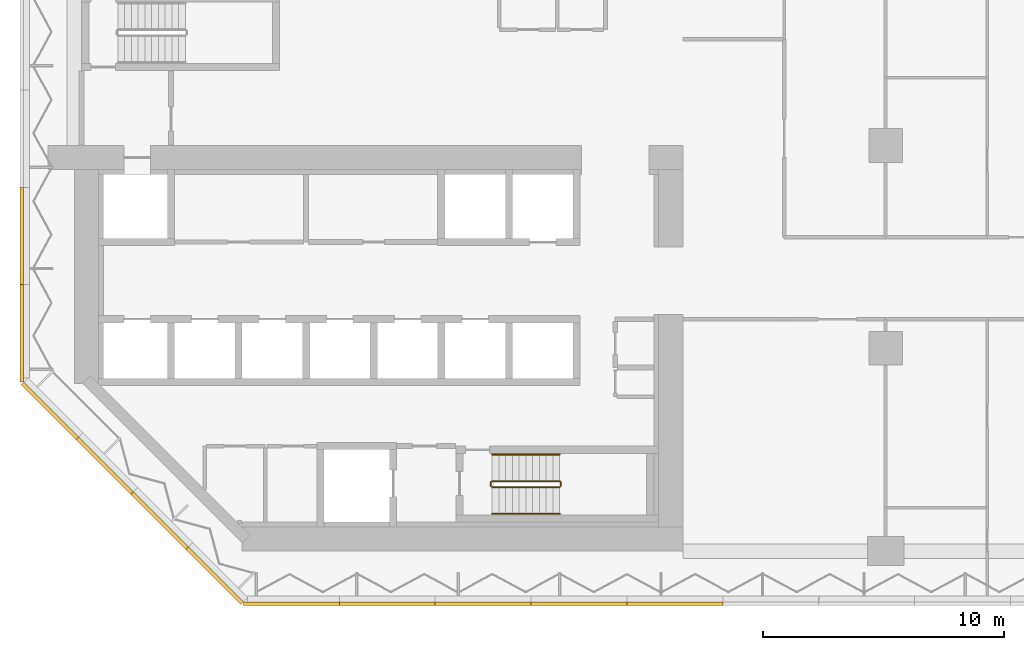
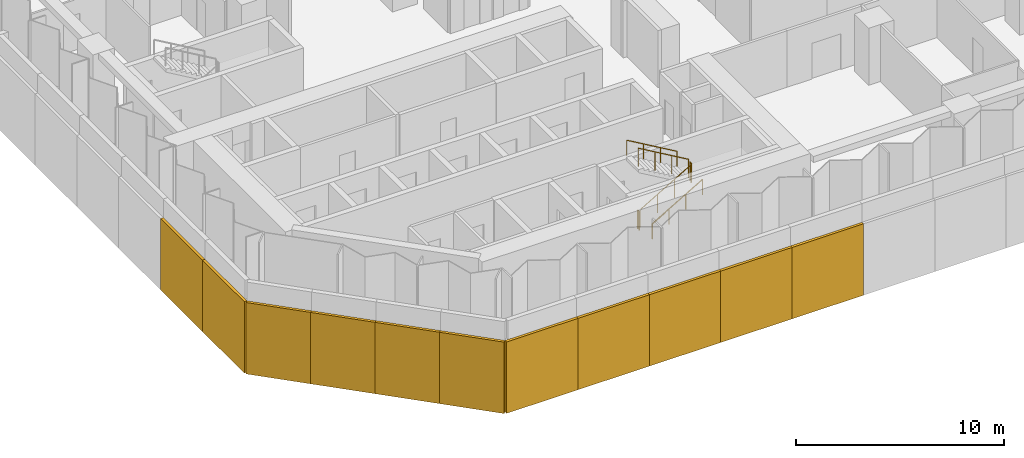
# One storey, part 17 of 24: 11 coverings, 6 railings.
"""IFC4 building model written with IfcOpenShell, lengths in metres."""

from ifc_helpers import new_model, si_unit, direction, frame, origin, origin_2d, place, context, subcontext, project, spatial, polyline, circle, outline, extrude, material, layer, layer_set, type_object, element, save


model = new_model("IFC4")

# Units and contexts
model_context = context("Model", 3, precision=1e-05, world=origin(), true_north=direction((0.0, 1.0)))
body_context = subcontext(model_context, "Body", "Model", "MODEL_VIEW")
ifc_project = project(units=[si_unit("LENGTHUNIT", "METRE"), si_unit("AREAUNIT", "SQUARE_METRE"), si_unit("VOLUMEUNIT", "CUBIC_METRE"), si_unit("PLANEANGLEUNIT", "RADIAN"), si_unit("MASSUNIT", "GRAM", prefix="KILO")], contexts=[model_context])

# Site, building, storey
site_placement = place(None, origin())
site = spatial("IfcSite", under=ifc_project, at=site_placement, CompositionType="ELEMENT")
building_placement = place(site_placement, origin())
building = spatial("IfcBuilding", under=site, at=building_placement, Name="Brevane Broadcast Tower", CompositionType="ELEMENT")
storey_placement = place(building_placement, frame((0.0, 0.0, 36.5)))
storey = spatial("IfcBuildingStorey", under=building, at=storey_placement, Name="L06", CompositionType="ELEMENT", Elevation=36.5)

# Coverings
ifc_material_1 = material(Name="Precast concrete C40/50", Category="concrete")
ifc_layer = layer(ifc_material_1, 0.14990234375)
ifc_layer_set = layer_set([ifc_layer], Name="CORNICE FASCIA CLADDING 4200")
covering_type = type_object("IfcCoveringType", Name="CORNICE FASCIA CLADDING 4200", PredefinedType="CLADDING", material=ifc_layer_set)
covering_1_placement = place(storey_placement, frame((0.0, 0.0, -4.199951171875)))
element("IfcCovering", 1, at=covering_1_placement, inside=storey, type_object=covering_type, Name="Cornice fascia", PredefinedType="CLADDING", context=body_context, shape_type="SweptSolid", body=[
    extrude(outline(polyline([(26.85791015625, -2.10009765625), (22.886962890625, -2.10009765625), (22.886962890625, -2.25), (26.85791015625, -2.25), (26.85791015625, -2.10009765625)])), origin(), (0.0, 0.0, 1.0), 4.199951171875),
])
covering_2_placement = place(storey_placement, frame((0.0, 0.0, -4.199951171875)))
element("IfcCovering", 2, at=covering_2_placement, inside=storey, type_object=covering_type, Name="Cornice fascia", PredefinedType="CLADDING", context=body_context, shape_type="SweptSolid", body=[
    extrude(outline(polyline([(22.886962890625, -2.10009765625), (18.916015625, -2.10009765625), (18.916015625, -2.25), (22.886962890625, -2.25), (22.886962890625, -2.10009765625)])), origin(), (0.0, 0.0, 1.0), 4.199951171875),
])
covering_3_placement = place(storey_placement, frame((0.0, 0.0, -4.199951171875)))
element("IfcCovering", 3, at=covering_3_placement, inside=storey, type_object=covering_type, Name="Cornice fascia", PredefinedType="CLADDING", context=body_context, shape_type="SweptSolid", body=[
    extrude(outline(polyline([(18.916015625, -2.10009765625), (14.945068359375, -2.10009765625), (14.945068359375, -2.25), (18.916015625, -2.25), (18.916015625, -2.10009765625)])), origin(), (0.0, 0.0, 1.0), 4.199951171875),
])
covering_4_placement = place(storey_placement, frame((0.0, 0.0, -4.199951171875)))
element("IfcCovering", 4, at=covering_4_placement, inside=storey, type_object=covering_type, Name="Cornice fascia", PredefinedType="CLADDING", context=body_context, shape_type="SweptSolid", body=[
    extrude(outline(polyline([(14.945068359375, -2.10009765625), (10.97412109375, -2.10009765625), (10.97412109375, -2.25), (14.945068359375, -2.25), (14.945068359375, -2.10009765625)])), origin(), (0.0, 0.0, 1.0), 4.199951171875),
])
covering_5_placement = place(storey_placement, frame((0.0, 0.0, -4.199951171875)))
element("IfcCovering", 5, at=covering_5_placement, inside=storey, type_object=covering_type, Name="Cornice fascia", PredefinedType="CLADDING", context=body_context, shape_type="SweptSolid", body=[
    extrude(outline(polyline([(10.97412109375, -2.10009765625), (7.0029296875, -2.10009765625), (7.0029296875, -2.25), (10.97412109375, -2.25), (10.97412109375, -2.10009765625)])), origin(), (0.0, 0.0, 1.0), 4.199951171875),
])
covering_6_placement = place(storey_placement, frame((0.0, 0.0, -4.199951171875)))
element("IfcCovering", 6, at=covering_6_placement, inside=storey, type_object=covering_type, Name="Cornice fascia", PredefinedType="CLADDING", context=body_context, shape_type="SweptSolid", body=[
    extrude(outline(polyline([(7.0029296875, -2.10009765625), (4.727294921875, 0.17578125), (4.62109375, 0.069580078125), (6.89697265625, -2.2060546875), (7.0029296875, -2.10009765625)])), origin(), (0.0, 0.0, 1.0), 4.199951171875),
])
covering_7_placement = place(storey_placement, frame((0.0, 0.0, -4.199951171875)))
element("IfcCovering", 7, at=covering_7_placement, inside=storey, type_object=covering_type, Name="Cornice fascia", PredefinedType="CLADDING", context=body_context, shape_type="SweptSolid", body=[
    extrude(outline(polyline([(4.727294921875, 0.17578125), (2.451416015625, 2.451416015625), (2.345458984375, 2.345458984375), (4.62109375, 0.069580078125), (4.727294921875, 0.17578125)])), origin(), (0.0, 0.0, 1.0), 4.199951171875),
])
covering_8_placement = place(storey_placement, frame((0.0, 0.0, -4.199951171875)))
element("IfcCovering", 8, at=covering_8_placement, inside=storey, type_object=covering_type, Name="Cornice fascia", PredefinedType="CLADDING", context=body_context, shape_type="SweptSolid", body=[
    extrude(outline(polyline([(2.451416015625, 2.451416015625), (0.17578125, 4.727294921875), (0.069580078125, 4.62109375), (2.345458984375, 2.345458984375), (2.451416015625, 2.451416015625)])), origin(), (0.0, 0.0, 1.0), 4.199951171875),
])
covering_9_placement = place(storey_placement, frame((0.0, 0.0, -4.199951171875)))
element("IfcCovering", 9, at=covering_9_placement, inside=storey, type_object=covering_type, Name="Cornice fascia", PredefinedType="CLADDING", context=body_context, shape_type="SweptSolid", body=[
    extrude(outline(polyline([(0.17578125, 4.727294921875), (-2.10009765625, 7.0029296875), (-2.2060546875, 6.89697265625), (0.069580078125, 4.62109375), (0.17578125, 4.727294921875)])), origin(), (0.0, 0.0, 1.0), 4.199951171875),
])
covering_10_placement = place(storey_placement, frame((0.0, 0.0, -4.199951171875)))
element("IfcCovering", 10, at=covering_10_placement, inside=storey, type_object=covering_type, Name="Cornice fascia", PredefinedType="CLADDING", context=body_context, shape_type="SweptSolid", body=[
    extrude(outline(polyline([(-2.10009765625, 7.0029296875), (-2.10009765625, 11.035888671875), (-2.25, 11.035888671875), (-2.25, 7.0029296875), (-2.10009765625, 7.0029296875)])), origin(), (0.0, 0.0, 1.0), 4.199951171875),
])
covering_11_placement = place(storey_placement, frame((0.0, 0.0, -4.199951171875)))
element("IfcCovering", 11, at=covering_11_placement, inside=storey, type_object=covering_type, Name="Cornice fascia", PredefinedType="CLADDING", context=body_context, shape_type="SweptSolid", body=[
    extrude(outline(polyline([(-2.10009765625, 11.035888671875), (-2.10009765625, 15.068603515625), (-2.25, 15.068603515625), (-2.25, 11.035888671875), (-2.10009765625, 11.035888671875)])), origin(), (0.0, 0.0, 1.0), 4.199951171875),
])

# Railings
ifc_material_2 = material(Name="Steel S355", Category="steel")
railing_type_1 = type_object("IfcRailingType", Name="Exit stair guard", PredefinedType="GUARDRAIL", material=ifc_material_2)
railing_1_placement = place(storey_placement, frame((17.300048828125, 2.64990234375, 0.16357421875)))
element("IfcRailing", 12, at=railing_1_placement, inside=storey, type_object=railing_type_1, Name="L06 ST-2 stair guard 1", PredefinedType="GUARDRAIL", context=body_context, shape_type="SweptSolid", body=[
    extrude(circle(Radius=0.02392578125, at=origin_2d()), frame((0.0, 0.0, 1.076171875), z_axis=(0.863360870873, 0.0, 0.504586966384), x_axis=(0.0, 1.0, 0.0)), (0.0, 0.0, 1.0), 3.2431640625),
    extrude(circle(Radius=0.02099609375, at=origin_2d()), origin(), (0.0, 0.0, 1.0), 1.052001953125),
    extrude(circle(Radius=0.02099609375, at=origin_2d()), frame((0.933349609375, 0.0, 0.54541015625)), (0.0, 0.0, 1.0), 1.052001953125),
    extrude(circle(Radius=0.02099609375, at=origin_2d()), frame((1.86669921875, 0.0, 1.091064453125)), (0.0, 0.0, 1.0), 1.052001953125),
    extrude(circle(Radius=0.02099609375, at=origin_2d()), frame((2.800048828125, 0.0, 1.636474609375)), (0.0, 0.0, 1.0), 1.052001953125),
])
railing_2_placement = place(storey_placement, frame((20.14990234375, 2.699951171875, 1.800048828125)))
element("IfcRailing", 13, at=railing_2_placement, inside=storey, type_object=railing_type_1, Name="L06 ST-2 stair guard 2", PredefinedType="GUARDRAIL", context=body_context, shape_type="SweptSolid", body=[
    extrude(circle(Radius=0.02392578125, at=origin_2d()), frame((0.0, 0.0, 1.076171875), z_axis=(0.0, 1.0, 0.0), x_axis=(-1.0, 0.0, 0.0)), (0.0, 0.0, 1.0), 0.150146484375),
    extrude(circle(Radius=0.02099609375, at=origin_2d()), origin(), (0.0, 0.0, 1.0), 1.052001953125),
    extrude(circle(Radius=0.02099609375, at=origin_2d()), frame((0.0, 0.150146484375, 0.0)), (0.0, 0.0, 1.0), 1.052001953125),
])
railing_3_placement = place(storey_placement, frame((20.10009765625, 2.89990234375, 1.963623046875)))
element("IfcRailing", 14, at=railing_3_placement, inside=storey, type_object=railing_type_1, Name="L06 ST-2 stair guard 3", PredefinedType="GUARDRAIL", context=body_context, shape_type="SweptSolid", body=[
    extrude(circle(Radius=0.02392578125, at=origin_2d()), frame((0.0, 0.0, 1.076171875), z_axis=(-0.863360870873, 0.0, 0.504586966384), x_axis=(0.0, -1.0, 0.0)), (0.0, 0.0, 1.0), 3.2431640625),
    extrude(circle(Radius=0.02099609375, at=origin_2d()), origin(), (0.0, 0.0, 1.0), 1.052001953125),
    extrude(circle(Radius=0.02099609375, at=origin_2d()), frame((-0.933349609375, 0.0, 0.54541015625)), (0.0, 0.0, 1.0), 1.052001953125),
    extrude(circle(Radius=0.02099609375, at=origin_2d()), frame((-1.86669921875, 0.0, 1.091064453125)), (0.0, 0.0, 1.0), 1.052001953125),
    extrude(circle(Radius=0.02099609375, at=origin_2d()), frame((-2.800048828125, 0.0, 1.636474609375)), (0.0, 0.0, 1.0), 1.052001953125),
])
railing_4_placement = place(storey_placement, frame((17.25, 2.699951171875, 0.0)))
element("IfcRailing", 15, at=railing_4_placement, inside=storey, type_object=railing_type_1, Name="L06 ST-2 stair guard 4", PredefinedType="GUARDRAIL", context=body_context, shape_type="SweptSolid", body=[
    extrude(circle(Radius=0.02392578125, at=origin_2d()), frame((0.0, 0.0, 1.076171875), z_axis=(0.0, 1.0, 0.0), x_axis=(-1.0, 0.0, 0.0)), (0.0, 0.0, 1.0), 0.150146484375),
    extrude(circle(Radius=0.02099609375, at=origin_2d()), origin(), (0.0, 0.0, 1.0), 1.052001953125),
    extrude(circle(Radius=0.02099609375, at=origin_2d()), frame((0.0, 0.150146484375, 0.0)), (0.0, 0.0, 1.0), 1.052001953125),
])
railing_type_2 = type_object("IfcRailingType", Name="Exit stair handrail", PredefinedType="HANDRAIL", material=ifc_material_2)
railing_5_placement = place(storey_placement, frame((17.300048828125, 1.550048828125, 0.16357421875)))
element("IfcRailing", 16, at=railing_5_placement, inside=storey, type_object=railing_type_2, Name="L06 ST-2 stair handrail 1", PredefinedType="HANDRAIL", context=body_context, shape_type="SweptSolid", body=[
    extrude(circle(Radius=0.02392578125, at=origin_2d()), frame((0.0, 0.0, 0.8759765625), z_axis=(0.863360870873, 0.0, 0.504586966384), x_axis=(0.0, 1.0, 0.0)), (0.0, 0.0, 1.0), 3.2431640625),
    extrude(circle(Radius=0.02099609375, at=origin_2d()), origin(), (0.0, 0.0, 1.0), 0.851806640625),
    extrude(circle(Radius=0.02099609375, at=origin_2d()), frame((0.933349609375, 0.0, 0.54541015625)), (0.0, 0.0, 1.0), 0.851806640625),
    extrude(circle(Radius=0.02099609375, at=origin_2d()), frame((1.86669921875, 0.0, 1.091064453125)), (0.0, 0.0, 1.0), 0.851806640625),
    extrude(circle(Radius=0.02099609375, at=origin_2d()), frame((2.800048828125, 0.0, 1.636474609375)), (0.0, 0.0, 1.0), 0.851806640625),
])
railing_6_placement = place(storey_placement, frame((20.10009765625, 4.0, 1.963623046875)))
element("IfcRailing", 17, at=railing_6_placement, inside=storey, type_object=railing_type_2, Name="L06 ST-2 stair handrail 2", PredefinedType="HANDRAIL", context=body_context, shape_type="SweptSolid", body=[
    extrude(circle(Radius=0.02392578125, at=origin_2d()), frame((0.0, 0.0, 0.8759765625), z_axis=(-0.863360870873, 0.0, 0.504586966384), x_axis=(0.0, -1.0, 0.0)), (0.0, 0.0, 1.0), 3.2431640625),
    extrude(circle(Radius=0.02099609375, at=origin_2d()), origin(), (0.0, 0.0, 1.0), 0.851806640625),
    extrude(circle(Radius=0.02099609375, at=origin_2d()), frame((-0.933349609375, 0.0, 0.54541015625)), (0.0, 0.0, 1.0), 0.851806640625),
    extrude(circle(Radius=0.02099609375, at=origin_2d()), frame((-1.86669921875, 0.0, 1.091064453125)), (0.0, 0.0, 1.0), 0.851806640625),
    extrude(circle(Radius=0.02099609375, at=origin_2d()), frame((-2.800048828125, 0.0, 1.636474609375)), (0.0, 0.0, 1.0), 0.851806640625),
])

save(model, "model.ifc")
